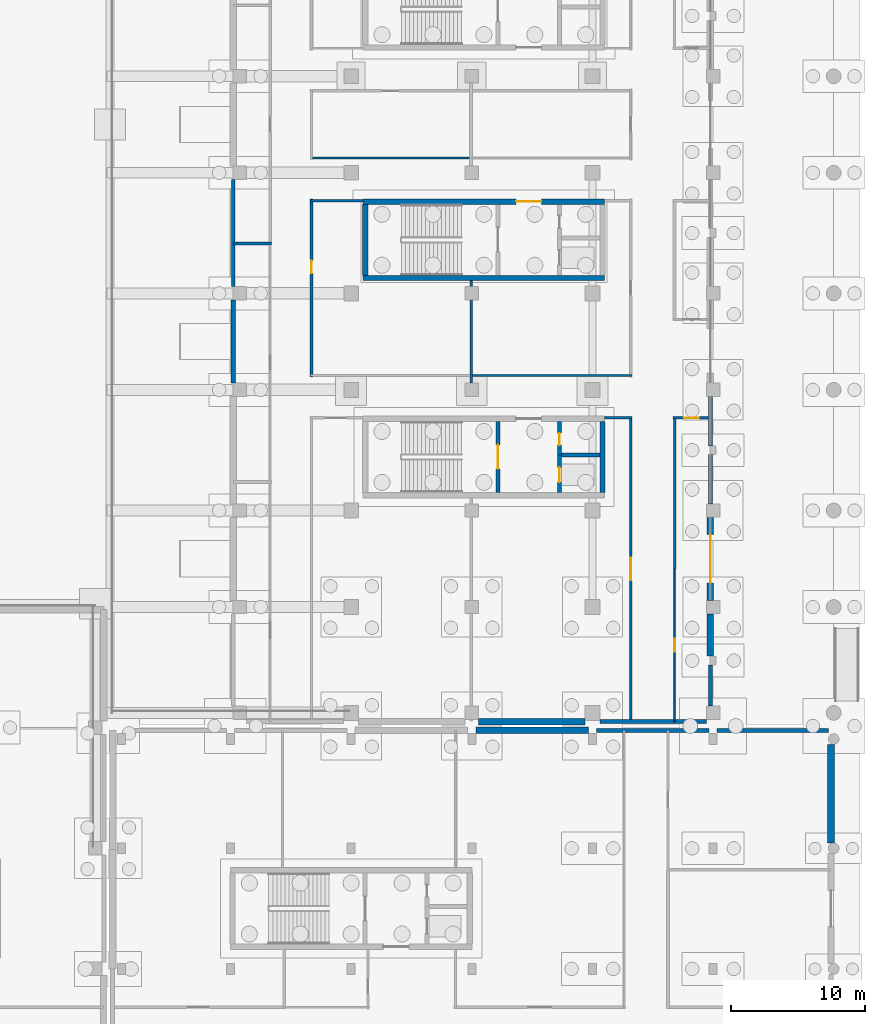
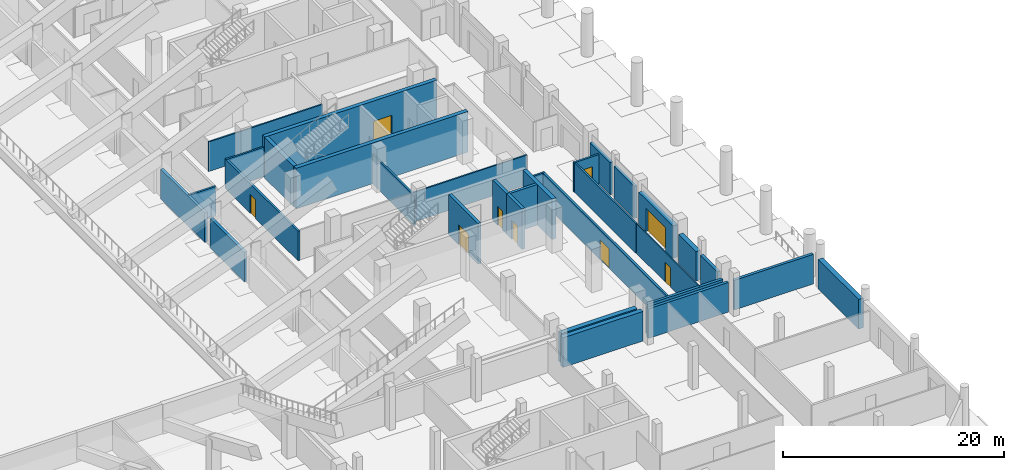
# One storey, part 27 of 53: 32 walls, 9 doors, 9 openings.
"""IFC4 building model written with IfcOpenShell, lengths in metres."""

from ifc_helpers import new_model, si_unit, direction, frame, frame_2d, origin, place, context, subcontext, project, spatial, rectangle, extrude, material, layer, layer_set, type_object, element, fill, save


model = new_model("IFC4")

# Units and contexts
model_context = context("Model", 3, precision=1e-05, world=origin(), true_north=direction((0.0, 1.0)))
body_context = subcontext(model_context, "Body", "Model", "MODEL_VIEW")
ifc_project = project(units=[si_unit("LENGTHUNIT", "METRE"), si_unit("AREAUNIT", "SQUARE_METRE"), si_unit("VOLUMEUNIT", "CUBIC_METRE"), si_unit("PLANEANGLEUNIT", "RADIAN"), si_unit("MASSUNIT", "GRAM", prefix="KILO"), si_unit("THERMODYNAMICTEMPERATUREUNIT", "KELVIN"), si_unit("POWERUNIT", "WATT")], contexts=[model_context])

# Site, building, storey
site_placement = place(None, origin())
site = spatial("IfcSite", under=ifc_project, at=site_placement, CompositionType="ELEMENT")
building_placement = place(site_placement, origin())
building = spatial("IfcBuilding", under=site, at=building_placement, Name="Sindhuravela Promenade Stadium", CompositionType="ELEMENT")
storey_placement = place(building_placement, origin())
storey = spatial("IfcBuildingStorey", under=building, at=storey_placement, Name="L00", CompositionType="ELEMENT", Elevation=0.0)

# Walls
ifc_material_1 = material(Name="Dholpur sandstone ashlar (45 MPa)", Category="masonry")
ifc_layer_1 = layer(ifc_material_1, 0.2900390625)
ifc_layer_set_1 = layer_set([ifc_layer_1], Name="Dholpur sandstone ashlar (45 MPa)")
wall_type_1 = type_object("IfcWallType", Name="EX-WL-SND290", PredefinedType="SOLIDWALL", material=ifc_layer_set_1)
wall_1_placement = place(storey_placement, frame((171.199951171875, 68.905029296875, 0.0), z_axis=(0.0, 0.0, 1.0), x_axis=(0.0, 1.0, 0.0)))
element("IfcWall", 1, at=wall_1_placement, inside=storey, type_object=wall_type_1, Name="Exterior masonry wall EW10 EAST L00", PredefinedType="SOLIDWALL", context=body_context, shape_type="SweptSolid", body=[
    extrude(rectangle(XDim=7.989990234375, YDim=0.2900390625, at=frame_2d((3.9951171875, 0.0))), origin(), (0.0, 0.0, 1.0), 3.280029296875),
])
wall_2_placement = place(storey_placement, frame((206.800048828125, 56.3701171875, 0.0), z_axis=(0.0, 0.0, 1.0), x_axis=(0.0, -1.0, 0.0)))
element("IfcWall", 2, at=wall_2_placement, inside=storey, type_object=wall_type_1, Name="Exterior masonry wall EW10 EAST L00", PredefinedType="SOLIDWALL", context=body_context, shape_type="SweptSolid", body=[
    extrude(rectangle(XDim=3.6650390625, YDim=0.2900390625, at=frame_2d((1.83251953125, 0.0))), origin(), (0.0, 0.0, 1.0), 3.580078125),
])
wall_3_placement = place(storey_placement, frame((206.4951171875, 36.449951171875, 0.0), z_axis=(0.0, 0.0, 1.0), x_axis=(-1.0, 0.0, 0.0)))
element("IfcWall", 3, at=wall_3_placement, inside=storey, type_object=wall_type_1, Name="Exterior masonry wall EW10 EAST L00", PredefinedType="SOLIDWALL", context=body_context, shape_type="SweptSolid", body=[
    extrude(rectangle(XDim=7.940185546875, YDim=0.2900390625, at=frame_2d((3.97021484375, 0.0))), origin(), (0.0, 0.0, 1.0), 3.280029296875),
])
wall_4_placement = place(storey_placement, frame((207.304931640625, 35.800048828125, 0.0), z_axis=(0.0, 0.0, 1.0), x_axis=(1.0, 0.0, 0.0)))
element("IfcWall", 4, at=wall_4_placement, inside=storey, type_object=wall_type_1, Name="Exterior masonry wall EW10 Pavilion SE L00", PredefinedType="SOLIDWALL", context=body_context, shape_type="SweptSolid", body=[
    extrude(rectangle(XDim=8.2900390625, YDim=0.2900390625, at=frame_2d((4.14501953125, 0.0))), origin(), (0.0, 0.0, 1.0), 3.280029296875),
])
ifc_layer_2 = layer(ifc_material_1, 0.31005859375)
ifc_layer_set_2 = layer_set([ifc_layer_2], Name="Dholpur sandstone ashlar (45 MPa)")
wall_type_2 = type_object("IfcWallType", Name="EX-WL-SND310", PredefinedType="SOLIDWALL", material=ifc_layer_set_2)
wall_5_placement = place(storey_placement, frame((171.199951171875, 61.705078125, 0.0), z_axis=(0.0, 0.0, 1.0), x_axis=(0.0, 1.0, 0.0)))
element("IfcWall", 5, at=wall_5_placement, inside=storey, type_object=wall_type_2, Name="Exterior masonry wall EW09 EAST L00", PredefinedType="SOLIDWALL", context=body_context, shape_type="SweptSolid", body=[
    extrude(rectangle(XDim=6.18994140625, YDim=0.31005859375, at=frame_2d((3.094970703125, 0.0))), origin(), (0.0, 0.0, 1.0), 3.280029296875),
])
wall_6_placement = place(storey_placement, frame((206.800048828125, 60.695068359375, 0.0), z_axis=(0.0, 0.0, 1.0), x_axis=(0.0, -1.0, 0.0)))
element("IfcWall", 6, at=wall_6_placement, inside=storey, type_object=wall_type_2, Name="Exterior masonry wall EW09 EAST L00", PredefinedType="SOLIDWALL", context=body_context, shape_type="SweptSolid", body=[
    extrude(rectangle(XDim=3.6650390625, YDim=0.31005859375, at=frame_2d((1.83251953125, 0.0))), origin(), (0.0, 0.0, 1.0), 3.580078125),
])
wall_7_placement = place(storey_placement, frame((206.800048828125, 40.669921875, 0.0), z_axis=(0.0, 0.0, 1.0), x_axis=(0.0, -1.0, 0.0)))
element("IfcWall", 7, at=wall_7_placement, inside=storey, type_object=wall_type_2, Name="Exterior masonry wall EW09 EAST L00", PredefinedType="SOLIDWALL", context=body_context, shape_type="SweptSolid", body=[
    extrude(rectangle(XDim=3.06494140625, YDim=0.31005859375, at=frame_2d((1.532470703125, 0.0))), origin(), (0.0, 0.0, 1.0), 3.280029296875),
])
wall_8_placement = place(storey_placement, frame((198.304931640625, 35.800048828125, 0.0), z_axis=(0.0, 0.0, 1.0), x_axis=(1.0, 0.0, 0.0)))
element("IfcWall", 8, at=wall_8_placement, inside=storey, type_object=wall_type_2, Name="Exterior masonry wall EW09 Pavilion SE L00", PredefinedType="SOLIDWALL", context=body_context, shape_type="SweptSolid", body=[
    extrude(rectangle(XDim=8.39013671875, YDim=0.31005859375, at=frame_2d((4.195068359375, 0.0))), origin(), (0.0, 0.0, 1.0), 3.280029296875),
])
ifc_layer_3 = layer(ifc_material_1, 0.47998046875)
ifc_layer_set_3 = layer_set([ifc_layer_3], Name="Dholpur sandstone ashlar (45 MPa)")
wall_type_3 = type_object("IfcWallType", Name="EX-WL-SND480", PredefinedType="SOLIDWALL", material=ifc_layer_set_3)
wall_9_placement = place(storey_placement, frame((206.800048828125, 44.4951171875, 0.0), z_axis=(0.0, 0.0, 1.0), x_axis=(0.0, -1.0, 0.0)))
element("IfcWall", 9, at=wall_9_placement, inside=storey, type_object=wall_type_3, Name="Exterior masonry wall EW08 EAST L00", PredefinedType="SOLIDWALL", context=body_context, shape_type="SweptSolid", body=[
    extrude(rectangle(XDim=3.1650390625, YDim=0.47998046875, at=frame_2d((1.58251953125, 0.0))), origin(), (0.0, 0.0, 1.0), 3.280029296875),
])
wall_10_placement = place(storey_placement, frame((189.304931640625, 35.800048828125, 0.0), z_axis=(0.0, 0.0, 1.0), x_axis=(1.0, 0.0, 0.0)))
element("IfcWall", 10, at=wall_10_placement, inside=storey, type_object=wall_type_3, Name="Exterior masonry wall EW08 Pavilion SE L00", PredefinedType="SOLIDWALL", context=body_context, shape_type="SweptSolid", body=[
    extrude(rectangle(XDim=8.39013671875, YDim=0.47998046875, at=frame_2d((4.195068359375, 0.0))), origin(), (0.0, 0.0, 1.0), 3.280029296875),
])

# Wall, opening, door
ifc_layer_4 = layer(ifc_material_1, 0.5)
ifc_layer_set_4 = layer_set([ifc_layer_4], Name="Dholpur sandstone ashlar (45 MPa)")
wall_type_4 = type_object("IfcWallType", Name="EX-WL-SND500", PredefinedType="SOLIDWALL", material=ifc_layer_set_4)
wall_11_placement = place(storey_placement, frame((206.800048828125, 51.695068359375, 0.0), z_axis=(0.0, 0.0, 1.0), x_axis=(0.0, -1.0, 0.0)))
wall_11 = element("IfcWall", 11, at=wall_11_placement, inside=storey, type_object=wall_type_4, Name="Exterior masonry wall EW07 EAST L00", PredefinedType="SOLIDWALL", context=body_context, shape_type="SweptSolid", body=[
    extrude(rectangle(XDim=6.190185546875, YDim=0.5, at=frame_2d((3.09521484375, 0.0))), origin(), (0.0, 0.0, 1.0), 3.580078125),
])
opening_1_placement = place(wall_11_placement, frame((1.294921875, 0.0, 0.0)))
opening_1 = element("IfcOpeningElement", 12, at=opening_1_placement, cuts=wall_11, Name="Opening E17", PredefinedType="OPENING", context=body_context, shape_type="SweptSolid", body=[
    extrude(rectangle(XDim=3.60009765625, YDim=2.60009765625, at=frame_2d((1.800048828125, 1.300048828125))), frame((0.0, 0.260009765625, 0.0), z_axis=(0.0, -1.0, 0.0), x_axis=(1.0, 0.0, 0.0)), (0.0, 0.0, 1.0), 0.52001953125),
])
ifc_material_2 = material(Name="Anodised architectural aluminium 6063-T6", Category="aluminium")
door_type_1 = type_object("IfcDoorType", Name="DR-EXIT-3600x2600", OperationType="DOUBLE_DOOR_SINGLE_SWING", PredefinedType="DOOR", material=ifc_material_2)
door_1_placement = place(opening_1_placement, origin())
door_1 = element("IfcDoor", 13, at=door_1_placement, inside=storey, type_object=door_type_1, Name="Final exit door E17", OperationType="DOUBLE_DOOR_SINGLE_SWING", OverallHeight=2.60009765625, OverallWidth=3.60009765625, PredefinedType="DOOR", context=body_context, shape_type="SweptSolid", body=[
    extrude(rectangle(XDim=3.60009765625, YDim=2.60009765625, at=frame_2d((1.800048828125, 1.300048828125))), frame((0.0, 0.02490234375, 0.0), z_axis=(0.0, -1.0, 0.0), x_axis=(1.0, 0.0, 0.0)), (0.0, 0.0, 1.0), 0.050048828125),
])
fill(opening_1, door_1)

# Walls
wall_12_placement = place(storey_placement, frame((197.445068359375, 36.449951171875, 0.0), z_axis=(0.0, 0.0, 1.0), x_axis=(-1.0, 0.0, 0.0)))
element("IfcWall", 14, at=wall_12_placement, inside=storey, type_object=wall_type_4, Name="Exterior masonry wall EW07 EAST L00", PredefinedType="SOLIDWALL", context=body_context, shape_type="SweptSolid", body=[
    extrude(rectangle(XDim=7.940185546875, YDim=0.5, at=frame_2d((3.97021484375, 0.0))), origin(), (0.0, 0.0, 1.0), 3.280029296875),
])
wall_13_placement = place(storey_placement, frame((215.800048828125, 34.7451171875, 0.0), z_axis=(0.0, 0.0, 1.0), x_axis=(0.0, -1.0, 0.0)))
element("IfcWall", 15, at=wall_13_placement, inside=storey, type_object=wall_type_4, Name="Exterior masonry wall EW07 Pavilion SE L00", PredefinedType="SOLIDWALL", context=body_context, shape_type="SweptSolid", body=[
    extrude(rectangle(XDim=7.340087890625, YDim=0.5, at=frame_2d((3.669921875, 0.0))), origin(), (0.0, 0.0, 1.0), 3.280029296875),
])

# Wall, opening, door
ifc_material_3 = material(Name="Fire-rated gypsum partition board", Category="gypsum")
ifc_layer_5 = layer(ifc_material_3, 0.110107421875)
ifc_layer_set_5 = layer_set([ifc_layer_5], Name="Fire-rated gypsum partition board")
wall_type_5 = type_object("IfcWallType", Name="IN-WL-PAR110", PredefinedType="PARTITIONING", material=ifc_layer_set_5)
wall_14_placement = place(storey_placement, frame((204.139892578125, 47.840087890625, 0.0), z_axis=(0.0, 0.0, 1.0), x_axis=(0.0, -1.0, 0.0)))
wall_14 = element("IfcWall", 16, at=wall_14_placement, inside=storey, type_object=wall_type_5, Name="Corridor partition IW06 Supporters Entrance Hall 10", PredefinedType="PARTITIONING", context=body_context, shape_type="SweptSolid", body=[
    extrude(rectangle(XDim=11.39013671875, YDim=0.110107421875, at=frame_2d((5.695068359375, 0.0))), origin(), (0.0, 0.0, 1.0), 3.280029296875),
])
opening_2_placement = place(wall_14_placement, frame((5.219970703125, 0.0, 0.0)))
opening_2 = element("IfcOpeningElement", 17, at=opening_2_placement, cuts=wall_14, Name="Opening ID10", PredefinedType="OPENING", context=body_context, shape_type="SweptSolid", body=[
    extrude(rectangle(XDim=0.949951171875, YDim=2.179931640625, at=frame_2d((0.47509765625, 1.08984375))), frame((0.0, 0.06494140625, 0.0), z_axis=(0.0, -1.0, 0.0), x_axis=(1.0, 0.0, 0.0)), (0.0, 0.0, 1.0), 0.130126953125),
])
ifc_material_4 = material(Name="Architectural teak timber leaf", Category="wood")
door_type_2 = type_object("IfcDoorType", Name="DR-INT-950x2180", OperationType="NOTDEFINED", PredefinedType="DOOR", material=ifc_material_4)
door_2_placement = place(opening_2_placement, origin())
door_2 = element("IfcDoor", 18, at=door_2_placement, inside=storey, type_object=door_type_2, Name="Supporters Entrance Hall 10 door", OperationType="SINGLE_SWING_RIGHT", OverallHeight=2.179931640625, OverallWidth=0.949951171875, PredefinedType="DOOR", context=body_context, shape_type="SweptSolid", body=[
    extrude(rectangle(XDim=0.949951171875, YDim=2.179931640625, at=frame_2d((0.47509765625, 1.08984375))), frame((0.0, 0.02490234375, 0.0), z_axis=(0.0, -1.0, 0.0), x_axis=(1.0, 0.0, 0.0)), (0.0, 0.0, 1.0), 0.050048828125),
])
fill(opening_2, door_2)

# Walls
ifc_layer_6 = layer(ifc_material_3, 0.14990234375)
ifc_layer_set_6 = layer_set([ifc_layer_6], Name="Fire-rated gypsum partition board")
wall_type_6 = type_object("IfcWallType", Name="IN-WL-PAR150", PredefinedType="PARTITIONING", material=ifc_layer_set_6)
for number, where, z_axis, x_axis, name in (
    (19, (200.93994140625, 62.2900390625, 0.0), (0.0, 0.0, 1.0), (-1.0, 0.0, 0.0), "Interior partition IW04 EAST L00"),
    (20, (188.909912109375, 78.489990234375, 0.0), (0.0, 0.0, 1.0), (-1.0, 0.0, 0.0), "Interior partition IW04 EAST L00"),
):
    element("IfcWall", number, at=place(storey_placement, frame(where, z_axis=z_axis, x_axis=x_axis)), inside=storey, type_object=wall_type_6, Name=name, PredefinedType="PARTITIONING", context=body_context, shape_type="SweptSolid", body=[
        extrude(rectangle(XDim=11.949951171875, YDim=0.14990234375, at=frame_2d((5.97509765625, 0.0))), origin(), (0.0, 0.0, 1.0), 3.280029296875),
    ])
ifc_layer_7 = layer(ifc_material_3, 0.175048828125)
ifc_layer_set_7 = layer_set([ifc_layer_7], Name="Fire-rated gypsum partition board")
wall_type_7 = type_object("IfcWallType", Name="IN-WL-PAR175", PredefinedType="PARTITIONING", material=ifc_layer_set_7)
wall_15_placement = place(storey_placement, frame((188.949951171875, 69.347900390625, 0.0), z_axis=(0.0, 0.0, 1.0), x_axis=(0.0, -1.0, 0.0)))
element("IfcWall", 21, at=wall_15_placement, inside=storey, type_object=wall_type_7, Name="Interior partition IW03 EAST L00", PredefinedType="PARTITIONING", context=body_context, shape_type="SweptSolid", body=[
    extrude(rectangle(XDim=7.64599609375, YDim=0.175048828125, at=frame_2d((3.822998046875, 0.0))), origin(), (0.0, 0.0, 1.0), 3.280029296875),
])
wall_16_placement = place(storey_placement, frame((204.139892578125, 47.8798828125, 0.0), z_axis=(0.0, 0.0, 1.0), x_axis=(0.0, 1.0, 0.0)))
element("IfcWall", 22, at=wall_16_placement, inside=storey, type_object=wall_type_7, Name="Interior partition IW03 EAST L00", PredefinedType="PARTITIONING", context=body_context, shape_type="SweptSolid", body=[
    extrude(rectangle(XDim=11.31005859375, YDim=0.175048828125, at=frame_2d((5.655029296875, 0.0))), origin(), (0.0, 0.0, 1.0), 3.280029296875),
])
ifc_layer_8 = layer(ifc_material_3, 0.195068359375)
ifc_layer_set_8 = layer_set([ifc_layer_8], Name="Fire-rated gypsum partition board")
wall_type_8 = type_object("IfcWallType", Name="IN-WL-PAR195", PredefinedType="PARTITIONING", material=ifc_layer_set_8)
wall_17_placement = place(storey_placement, frame((198.902099609375, 59.110107421875, 0.0), z_axis=(0.0, 0.0, 1.0), x_axis=(1.0, 0.0, 0.0)))
element("IfcWall", 23, at=wall_17_placement, inside=storey, type_object=wall_type_8, Name="Interior partition IW02 EAST L00", PredefinedType="PARTITIONING", context=body_context, shape_type="SweptSolid", body=[
    extrude(rectangle(XDim=2.037841796875, YDim=0.195068359375, at=frame_2d((1.01904296875, 0.0))), origin(), (0.0, 0.0, 1.0), 3.280029296875),
])
wall_18_placement = place(storey_placement, frame((176.9599609375, 75.31005859375, 0.0), z_axis=(0.0, 0.0, 1.0), x_axis=(1.0, 0.0, 0.0)))
element("IfcWall", 24, at=wall_18_placement, inside=storey, type_object=wall_type_8, Name="Interior partition IW02 EAST L00", PredefinedType="PARTITIONING", context=body_context, shape_type="SweptSolid", body=[
    extrude(rectangle(XDim=3.93798828125, YDim=0.195068359375, at=frame_2d((1.968994140625, 0.0))), origin(), (0.0, 0.0, 1.0), 3.280029296875),
])

# Wall, opening, door
wall_19_placement = place(storey_placement, frame((206.800048828125, 59.110107421875, 0.0), z_axis=(0.0, 0.0, 1.0), x_axis=(-1.0, 0.0, 0.0)))
wall_19 = element("IfcWall", 25, at=wall_19_placement, inside=storey, type_object=wall_type_8, Name="Corridor partition IW02 Stadium Club Shop 12", PredefinedType="PARTITIONING", context=body_context, shape_type="SweptSolid", body=[
    extrude(rectangle(XDim=2.780029296875, YDim=0.195068359375, at=frame_2d((1.39013671875, 0.0))), origin(), (0.0, 0.0, 1.0), 3.280029296875),
])
opening_3_placement = place(wall_19_placement, frame((0.85009765625, 0.0, 0.0)))
opening_3 = element("IfcOpeningElement", 26, at=opening_3_placement, cuts=wall_19, Name="Opening ID12", PredefinedType="OPENING", context=body_context, shape_type="SweptSolid", body=[
    extrude(rectangle(XDim=1.080078125, YDim=2.179931640625, at=frame_2d((0.5400390625, 1.08984375))), frame((0.0, 0.107421875, 0.0), z_axis=(0.0, -1.0, 0.0), x_axis=(1.0, 0.0, 0.0)), (0.0, 0.0, 1.0), 0.215087890625),
])
door_type_3 = type_object("IfcDoorType", Name="DR-INT-1080x2180", OperationType="NOTDEFINED", PredefinedType="DOOR", material=ifc_material_4)
door_3_placement = place(opening_3_placement, origin())
door_3 = element("IfcDoor", 27, at=door_3_placement, inside=storey, type_object=door_type_3, Name="Stadium Club Shop 12 door", OperationType="SINGLE_SWING_RIGHT", OverallHeight=2.179931640625, OverallWidth=1.080078125, PredefinedType="DOOR", context=body_context, shape_type="SweptSolid", body=[
    extrude(rectangle(XDim=1.080078125, YDim=2.179931640625, at=frame_2d((0.5400390625, 1.08984375))), frame((0.0, 0.02490234375, 0.0), z_axis=(0.0, -1.0, 0.0), x_axis=(1.0, 0.0, 0.0)), (0.0, 0.0, 1.0), 0.050048828125),
])
fill(opening_3, door_3)

ifc_layer_9 = layer(ifc_material_3, 0.219970703125)
ifc_layer_set_9 = layer_set([ifc_layer_9], Name="Fire-rated gypsum partition board")
wall_type_9 = type_object("IfcWallType", Name="IN-WL-PAR220", PredefinedType="PARTITIONING", material=ifc_layer_set_9)
wall_20_placement = place(storey_placement, frame((200.860107421875, 36.449951171875, 0.0), z_axis=(0.0, 0.0, 1.0), x_axis=(0.0, 1.0, 0.0)))
wall_20 = element("IfcWall", 28, at=wall_20_placement, inside=storey, type_object=wall_type_9, Name="Corridor partition IW01 Sports Museum Foyer", PredefinedType="PARTITIONING", context=body_context, shape_type="SweptSolid", body=[
    extrude(rectangle(XDim=22.780029296875, YDim=0.219970703125, at=frame_2d((11.39013671875, 0.0))), origin(), (0.0, 0.0, 1.0), 3.280029296875),
])
opening_4_placement = place(wall_20_placement, frame((10.5400390625, 0.0, 0.0)))
opening_4 = element("IfcOpeningElement", 29, at=opening_4_placement, cuts=wall_20, Name="Opening ID01", PredefinedType="OPENING", context=body_context, shape_type="SweptSolid", body=[
    extrude(rectangle(XDim=1.699951171875, YDim=2.199951171875, at=frame_2d((0.85009765625, 1.10009765625))), frame((0.0, 0.119873046875, 0.0), z_axis=(0.0, -1.0, 0.0), x_axis=(1.0, 0.0, 0.0)), (0.0, 0.0, 1.0), 0.239990234375),
])
door_type_4 = type_object("IfcDoorType", Name="DR-INT-1700x2200", OperationType="DOUBLE_DOOR_SINGLE_SWING", PredefinedType="DOOR", material=ifc_material_4)
door_4_placement = place(opening_4_placement, origin())
door_4 = element("IfcDoor", 30, at=door_4_placement, inside=storey, type_object=door_type_4, Name="Sports Museum Foyer door", OperationType="DOUBLE_DOOR_SINGLE_SWING", OverallHeight=2.199951171875, OverallWidth=1.699951171875, PredefinedType="DOOR", context=body_context, shape_type="SweptSolid", body=[
    extrude(rectangle(XDim=1.699951171875, YDim=2.199951171875, at=frame_2d((0.85009765625, 1.10009765625))), frame((0.0, 0.02490234375, 0.0), z_axis=(0.0, -1.0, 0.0), x_axis=(1.0, 0.0, 0.0)), (0.0, 0.0, 1.0), 0.050048828125),
])
fill(opening_4, door_4)

wall_21_placement = place(storey_placement, frame((177.0400390625, 75.429931640625, 0.0), z_axis=(0.0, 0.0, 1.0), x_axis=(0.0, -1.0, 0.0)))
wall_21 = element("IfcWall", 31, at=wall_21_placement, inside=storey, type_object=wall_type_9, Name="Corridor partition IW01 Chiller Plant Hall", PredefinedType="PARTITIONING", context=body_context, shape_type="SweptSolid", body=[
    extrude(rectangle(XDim=13.260009765625, YDim=0.219970703125, at=frame_2d((6.6298828125, 0.0))), origin(), (0.0, 0.0, 1.0), 3.280029296875),
])
opening_5_placement = place(wall_21_placement, frame((4.592529296875, 0.0, 0.0)))
opening_5 = element("IfcOpeningElement", 32, at=opening_5_placement, cuts=wall_21, Name="Opening ID09", PredefinedType="OPENING", context=body_context, shape_type="SweptSolid", body=[
    extrude(rectangle(XDim=0.949951171875, YDim=2.10009765625, at=frame_2d((0.47509765625, 1.050048828125))), frame((0.0, 0.119873046875, 0.0), z_axis=(0.0, -1.0, 0.0), x_axis=(1.0, 0.0, 0.0)), (0.0, 0.0, 1.0), 0.239990234375),
])
door_type_5 = type_object("IfcDoorType", Name="DR-INT-950x2100", OperationType="NOTDEFINED", PredefinedType="DOOR", material=ifc_material_4)
door_5_placement = place(opening_5_placement, origin())
door_5 = element("IfcDoor", 33, at=door_5_placement, inside=storey, type_object=door_type_5, Name="Chiller Plant Hall door", OperationType="SINGLE_SWING_LEFT", OverallHeight=2.10009765625, OverallWidth=0.949951171875, PredefinedType="DOOR", context=body_context, shape_type="SweptSolid", body=[
    extrude(rectangle(XDim=0.949951171875, YDim=2.10009765625, at=frame_2d((0.47509765625, 1.050048828125))), frame((0.0, 0.02490234375, 0.0), z_axis=(0.0, -1.0, 0.0), x_axis=(1.0, 0.0, 0.0)), (0.0, 0.0, 1.0), 0.050048828125),
])
fill(opening_5, door_5)

# Wall
wall_22_placement = place(storey_placement, frame((171.239990234375, 72.114013671875, 0.0), z_axis=(0.0, 0.0, 1.0), x_axis=(1.0, 0.0, 0.0)))
element("IfcWall", 34, at=wall_22_placement, inside=storey, type_object=wall_type_9, Name="Interior partition IW01 EAST L00", PredefinedType="PARTITIONING", context=body_context, shape_type="SweptSolid", body=[
    extrude(rectangle(XDim=2.800048828125, YDim=0.219970703125, at=frame_2d((1.39990234375, 0.0))), origin(), (0.0, 0.0, 1.0), 3.280029296875),
])

# Wall, opening, door
ifc_material_5 = material(Name="Concrete M50", Category="concrete")
ifc_layer_10 = layer(ifc_material_5, 0.300048828125)
ifc_layer_set_10 = layer_set([ifc_layer_10], Name="Concrete M50")
wall_type_10 = type_object("IfcWallType", Name="RC-SW-300", PredefinedType="SHEAR", material=ifc_layer_set_10)
wall_23_placement = place(storey_placement, frame((190.949951171875, 53.550048828125, 0.0), z_axis=(0.0, 0.0, 1.0), x_axis=(0.0, 1.0, 0.0)))
wall_23 = element("IfcWall", 35, at=wall_23_placement, inside=storey, type_object=wall_type_10, Name="Core shear wall C05-ST (L00)", PredefinedType="SHEAR", context=body_context, shape_type="SweptSolid", body=[
    extrude(rectangle(XDim=5.300048828125, YDim=0.300048828125, at=frame_2d((2.64990234375, 0.0))), origin(), (0.0, 0.0, 1.0), 4.5),
])
opening_6_placement = place(wall_23_placement, frame((1.75, 0.0, 0.0)))
opening_6 = element("IfcOpeningElement", 36, at=opening_6_placement, cuts=wall_23, Name="Opening FD01", PredefinedType="OPENING", context=body_context, shape_type="SweptSolid", body=[
    extrude(rectangle(XDim=1.800048828125, YDim=2.25, at=frame_2d((0.89990234375, 1.125))), frame((0.0, 0.159912109375, 0.0), z_axis=(0.0, -1.0, 0.0), x_axis=(1.0, 0.0, 0.0)), (0.0, 0.0, 1.0), 0.320068359375),
])
ifc_material_6 = material(Name="Architectural wrought steel E350", Category="steel")
door_type_6 = type_object("IfcDoorType", Name="DR-CORE-1800x2250", OperationType="DOUBLE_DOOR_SINGLE_SWING", PredefinedType="DOOR", material=ifc_material_6)
door_6_placement = place(opening_6_placement, origin())
door_6 = element("IfcDoor", 37, at=door_6_placement, inside=storey, type_object=door_type_6, Name="Stair ST05 lobby fire door (L00)", OperationType="DOUBLE_DOOR_SINGLE_SWING", OverallHeight=2.25, OverallWidth=1.800048828125, PredefinedType="DOOR", context=body_context, shape_type="SweptSolid", body=[
    extrude(rectangle(XDim=1.800048828125, YDim=2.25, at=frame_2d((0.89990234375, 1.125))), frame((0.0, 0.02490234375, 0.0), z_axis=(0.0, -1.0, 0.0), x_axis=(1.0, 0.0, 0.0)), (0.0, 0.0, 1.0), 0.050048828125),
])
fill(opening_6, door_6)

wall_24_placement = place(storey_placement, frame((195.550048828125, 53.550048828125, 0.0), z_axis=(0.0, 0.0, 1.0), x_axis=(0.0, 1.0, 0.0)))
wall_24 = element("IfcWall", 38, at=wall_24_placement, inside=storey, type_object=wall_type_10, Name="Core shear wall C05-LFT (L00)", PredefinedType="SHEAR", context=body_context, shape_type="SweptSolid", body=[
    extrude(rectangle(XDim=2.800048828125, YDim=0.300048828125, at=frame_2d((1.39990234375, 0.0))), origin(), (0.0, 0.0, 1.0), 4.5),
])
opening_7_placement = place(wall_24_placement, frame((0.77490234375, 0.0, 0.0)))
opening_7 = element("IfcOpeningElement", 39, at=opening_7_placement, cuts=wall_24, Name="Opening LD", PredefinedType="OPENING", context=body_context, shape_type="SweptSolid", body=[
    extrude(rectangle(XDim=1.10009765625, YDim=2.10009765625, at=frame_2d((0.550048828125, 1.050048828125))), frame((0.0, 0.159912109375, 0.0), z_axis=(0.0, -1.0, 0.0), x_axis=(1.0, 0.0, 0.0)), (0.0, 0.0, 1.0), 0.320068359375),
])
door_type_7 = type_object("IfcDoorType", Name="DR-LFT-1100x2100", OperationType="DOUBLE_DOOR_SLIDING", PredefinedType="DOOR", material=ifc_material_6)
door_7_placement = place(opening_7_placement, origin())
door_7 = element("IfcDoor", 40, at=door_7_placement, inside=storey, type_object=door_type_7, Name="Lift PL01 landing door (L00)", OperationType="DOUBLE_DOOR_SLIDING", OverallHeight=2.10009765625, OverallWidth=1.10009765625, PredefinedType="DOOR", context=body_context, shape_type="SweptSolid", body=[
    extrude(rectangle(XDim=1.10009765625, YDim=2.10009765625, at=frame_2d((0.550048828125, 1.050048828125))), frame((0.0, 0.02490234375, 0.0), z_axis=(0.0, -1.0, 0.0), x_axis=(1.0, 0.0, 0.0)), (0.0, 0.0, 1.0), 0.050048828125),
])
fill(opening_7, door_7)

wall_25_placement = place(storey_placement, frame((195.550048828125, 56.35009765625, 0.0), z_axis=(0.0, 0.0, 1.0), x_axis=(0.0, 1.0, 0.0)))
wall_25 = element("IfcWall", 41, at=wall_25_placement, inside=storey, type_object=wall_type_10, Name="Core shear wall C05-RSR (L00)", PredefinedType="SHEAR", context=body_context, shape_type="SweptSolid", body=[
    extrude(rectangle(XDim=2.5, YDim=0.300048828125, at=frame_2d((1.25, 0.0))), origin(), (0.0, 0.0, 1.0), 4.5),
])
opening_8_placement = place(wall_25_placement, frame((0.72509765625, 0.0, 0.0)))
opening_8 = element("IfcOpeningElement", 42, at=opening_8_placement, cuts=wall_25, Name="Opening FD03", PredefinedType="OPENING", context=body_context, shape_type="SweptSolid", body=[
    extrude(rectangle(XDim=0.89990234375, YDim=2.10009765625, at=frame_2d((0.449951171875, 1.050048828125))), frame((0.0, 0.159912109375, 0.0), z_axis=(0.0, -1.0, 0.0), x_axis=(1.0, 0.0, 0.0)), (0.0, 0.0, 1.0), 0.320068359375),
])
door_type_8 = type_object("IfcDoorType", Name="DR-RSR-900x2100", OperationType="NOTDEFINED", PredefinedType="DOOR", material=ifc_material_6)
door_8_placement = place(opening_8_placement, origin())
door_8 = element("IfcDoor", 43, at=door_8_placement, inside=storey, type_object=door_type_8, Name="Riser shaft access door C05 (L00)", OperationType="SINGLE_SWING_LEFT", OverallHeight=2.10009765625, OverallWidth=0.89990234375, PredefinedType="DOOR", context=body_context, shape_type="SweptSolid", body=[
    extrude(rectangle(XDim=0.89990234375, YDim=2.10009765625, at=frame_2d((0.449951171875, 1.050048828125))), frame((0.0, 0.02490234375, 0.0), z_axis=(0.0, -1.0, 0.0), x_axis=(1.0, 0.0, 0.0)), (0.0, 0.0, 1.0), 0.050048828125),
])
fill(opening_8, door_8)

# Walls
wall_26_placement = place(storey_placement, frame((195.699951171875, 56.35009765625, 0.0), z_axis=(0.0, 0.0, 1.0), x_axis=(1.0, 0.0, 0.0)))
element("IfcWall", 44, at=wall_26_placement, inside=storey, type_object=wall_type_10, Name="Core shear wall C05-DIV (L00)", PredefinedType="SHEAR", context=body_context, shape_type="SweptSolid", body=[
    extrude(rectangle(XDim=2.85009765625, YDim=0.300048828125, at=frame_2d((1.425048828125, 0.0))), origin(), (0.0, 0.0, 1.0), 4.5),
])
ifc_layer_11 = layer(ifc_material_5, 0.39990234375)
ifc_layer_set_11 = layer_set([ifc_layer_11], Name="Concrete M50")
wall_type_11 = type_object("IfcWallType", Name="RC-SW-400", PredefinedType="SHEAR", material=ifc_layer_set_11)
wall_27_placement = place(storey_placement, frame((198.75, 53.550048828125, 0.0), z_axis=(0.0, 0.0, 1.0), x_axis=(0.0, 1.0, 0.0)))
element("IfcWall", 45, at=wall_27_placement, inside=storey, type_object=wall_type_11, Name="Core shear wall C05-E (L00)", PredefinedType="SHEAR", context=body_context, shape_type="SweptSolid", body=[
    extrude(rectangle(XDim=5.300048828125, YDim=0.39990234375, at=frame_2d((2.64990234375, 0.0))), origin(), (0.0, 0.0, 1.0), 4.5),
])
wall_28_placement = place(storey_placement, frame((180.89990234375, 69.550048828125, 0.0), z_axis=(0.0, 0.0, 1.0), x_axis=(1.0, 0.0, 0.0)))
element("IfcWall", 46, at=wall_28_placement, inside=storey, type_object=wall_type_11, Name="Core shear wall C06-S (L00)", PredefinedType="SHEAR", context=body_context, shape_type="SweptSolid", body=[
    extrude(rectangle(XDim=18.0, YDim=0.39990234375, at=frame_2d((9.0, 0.0))), origin(), (0.0, 0.0, 1.0), 4.5),
])

# Wall, opening, door
wall_29_placement = place(storey_placement, frame((198.89990234375, 75.25, 0.0), z_axis=(0.0, 0.0, 1.0), x_axis=(-1.0, 0.0, 0.0)))
wall_29 = element("IfcWall", 47, at=wall_29_placement, inside=storey, type_object=wall_type_11, Name="Core shear wall C06-N (L00)", PredefinedType="SHEAR", context=body_context, shape_type="SweptSolid", body=[
    extrude(rectangle(XDim=18.0, YDim=0.39990234375, at=frame_2d((9.0, 0.0))), origin(), (0.0, 0.0, 1.0), 4.5),
])
opening_9_placement = place(wall_29_placement, frame((4.699951171875, 0.0, 0.0)))
opening_9 = element("IfcOpeningElement", 48, at=opening_9_placement, cuts=wall_29, Name="Opening FD02", PredefinedType="OPENING", context=body_context, shape_type="SweptSolid", body=[
    extrude(rectangle(XDim=1.89990234375, YDim=2.25, at=frame_2d((0.949951171875, 1.125))), frame((0.0, 0.2099609375, 0.0), z_axis=(0.0, -1.0, 0.0), x_axis=(1.0, 0.0, 0.0)), (0.0, 0.0, 1.0), 0.419921875),
])
door_type_9 = type_object("IfcDoorType", Name="DR-LOB-1900x2250", OperationType="DOUBLE_DOOR_SINGLE_SWING", PredefinedType="DOOR", material=ifc_material_6)
door_9_placement = place(opening_9_placement, origin())
door_9 = element("IfcDoor", 49, at=door_9_placement, inside=storey, type_object=door_type_9, Name="Protected lobby entrance door C06 (L00)", OperationType="DOUBLE_DOOR_SINGLE_SWING", OverallHeight=2.25, OverallWidth=1.89990234375, PredefinedType="DOOR", context=body_context, shape_type="SweptSolid", body=[
    extrude(rectangle(XDim=1.89990234375, YDim=2.25, at=frame_2d((0.949951171875, 1.125))), frame((0.0, 0.02490234375, 0.0), z_axis=(0.0, -1.0, 0.0), x_axis=(1.0, 0.0, 0.0)), (0.0, 0.0, 1.0), 0.050048828125),
])
fill(opening_9, door_9)

# Wall
wall_30_placement = place(storey_placement, frame((181.050048828125, 75.050048828125, 0.0), z_axis=(0.0, 0.0, 1.0), x_axis=(0.0, -1.0, 0.0)))
element("IfcWall", 50, at=wall_30_placement, inside=storey, type_object=wall_type_11, Name="Core shear wall C06-W (L00)", PredefinedType="SHEAR", context=body_context, shape_type="SweptSolid", body=[
    extrude(rectangle(XDim=5.300048828125, YDim=0.39990234375, at=frame_2d((2.64990234375, 0.0))), origin(), (0.0, 0.0, 1.0), 4.5),
])

save(model, "model.ifc")
